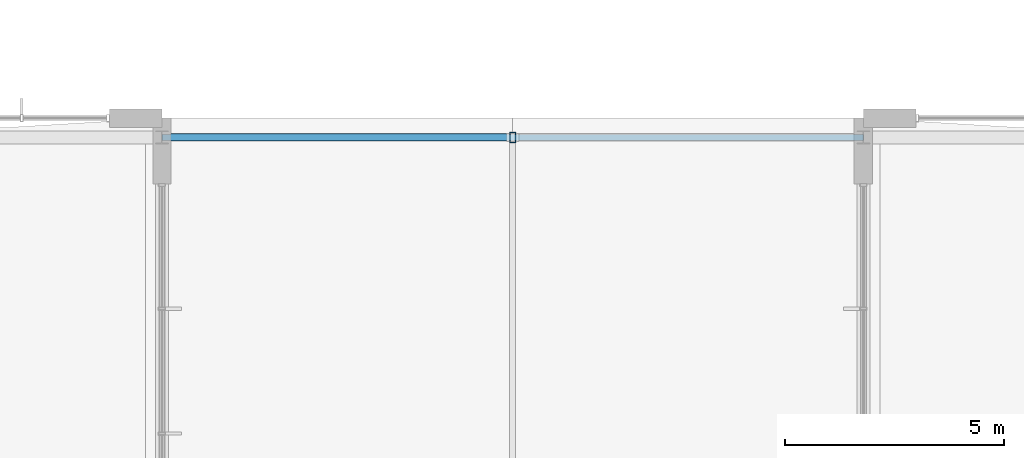
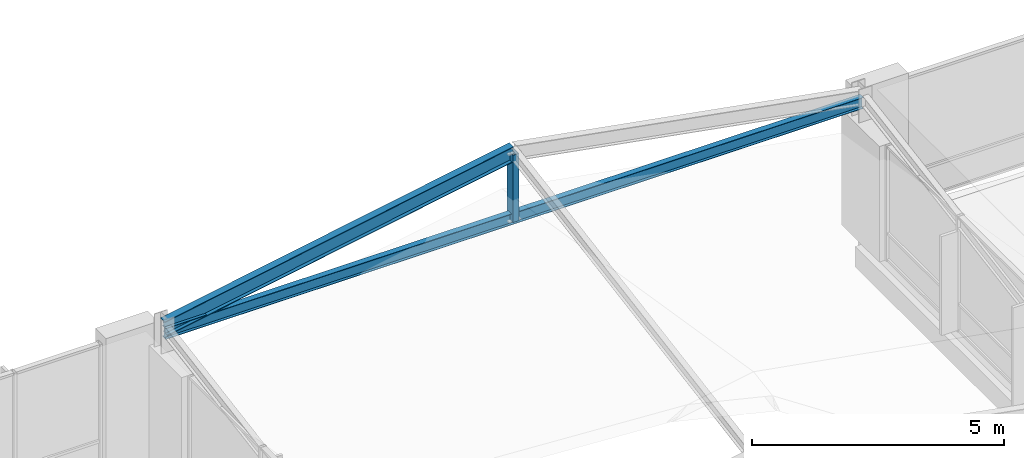
# One storey, part 99 of 189: 2 members, 1 beam.
"""IFC4 building model written with IfcOpenShell, lengths in metres."""

from ifc_helpers import new_model, si_unit, direction, frame, origin, origin_2d, place, context, subcontext, project, spatial, hollow_rectangle, i_section, extrude, material, material_profile, profile_set, type_object, element, save


model = new_model("IFC4")

# Units and contexts
model_context = context("Model", 3, precision=1e-05, world=origin(), true_north=direction((0.0, 1.0)))
body_context = subcontext(model_context, "Body", "Model", "MODEL_VIEW")
ifc_project = project(units=[si_unit("LENGTHUNIT", "METRE"), si_unit("AREAUNIT", "SQUARE_METRE"), si_unit("VOLUMEUNIT", "CUBIC_METRE"), si_unit("PLANEANGLEUNIT", "RADIAN"), si_unit("MASSUNIT", "GRAM", prefix="KILO")], contexts=[model_context])

# Site, building, storey
site_placement = place(None, origin())
site = spatial("IfcSite", under=ifc_project, at=site_placement, CompositionType="ELEMENT")
building_placement = place(site_placement, origin())
building = spatial("IfcBuilding", under=site, at=building_placement, Name="Zavelmont Quarter", CompositionType="ELEMENT")
storey_placement = place(building_placement, frame((0.0, 0.0, 4.39990234375)))
storey = spatial("IfcBuildingStorey", under=building, at=storey_placement, Name="L01", CompositionType="ELEMENT", Elevation=4.39990234375)

# Beam
ifc_material = material(Name="Steel S355", Category="steel")
ifc_material_profile_1 = material_profile(ifc_material, i_section(OverallWidth=0.135009765625, OverallDepth=0.27001953125, WebThickness=0.006591796875, FlangeThickness=0.01025390625, at=origin_2d()), Name="IPE 270")
ifc_profile_set_1 = profile_set([ifc_material_profile_1], Name="Steel S355")
beam_type = type_object("IfcBeamType", Name="BM14", PredefinedType="JOIST", material=ifc_profile_set_1)
beam_placement = place(storey_placement, frame((76.0, 115.56005859375, 3.18505859375), z_axis=(1.0, 0.0, 0.0), x_axis=(0.0, 1.0, 0.0)))
element("IfcBeam", 1, at=beam_placement, inside=storey, type_object=beam_type, Name="L01 beam BM14 12/S to 14/S", PredefinedType="JOIST", context=body_context, shape_type="SweptSolid", body=[
    extrude(i_section(OverallWidth=0.135009765625, OverallDepth=0.27001953125, WebThickness=0.006591796875, FlangeThickness=0.01025390625, at=origin_2d()), origin(), (0.0, 0.0, 1.0), 16.0),
])

# Members
ifc_material_profile_2 = material_profile(ifc_material, hollow_rectangle(XDim=0.139892578125, YDim=0.239990234375, WallThickness=0.010009765625, at=origin_2d()), Name="RHS 240X140X10")
ifc_profile_set_2 = profile_set([ifc_material_profile_2], Name="Steel S355")
member_type_1 = type_object("IfcMemberType", Name="CLM1", PredefinedType="CHORD", material=ifc_profile_set_2)
member_1_placement = place(storey_placement, frame((84.0, 115.56005859375, 3.14013671875), z_axis=(0.0, 0.0, 1.0), x_axis=(1.0, 0.0, 0.0)))
element("IfcMember", 2, at=member_1_placement, inside=storey, type_object=member_type_1, Name="L01 member CLM1 13/S to 13/S", PredefinedType="CHORD", context=body_context, shape_type="SweptSolid", body=[
    extrude(hollow_rectangle(XDim=0.139892578125, YDim=0.239990234375, WallThickness=0.010009765625, at=origin_2d()), origin(), (0.0, 0.0, 1.0), 1.6298828125),
])
ifc_material_profile_3 = material_profile(ifc_material, i_section(OverallWidth=0.169921875, OverallDepth=0.360107421875, WebThickness=0.008056640625, FlangeThickness=0.0126953125, at=origin_2d()), Name="IPE 360")
ifc_profile_set_3 = profile_set([ifc_material_profile_3], Name="Steel S355")
member_type_2 = type_object("IfcMemberType", Name="RFM2", PredefinedType="RAFTER", material=ifc_profile_set_3)
member_2_placement = place(storey_placement, frame((76.0, 115.56005859375, 3.320068359375), z_axis=(0.983969211964, 0.0, 0.178338413997), x_axis=(0.0, 1.0, 0.0)))
element("IfcMember", 3, at=member_2_placement, inside=storey, type_object=member_type_2, Name="L01 member RFM2 12/S to 13/S", PredefinedType="RAFTER", context=body_context, shape_type="SweptSolid", body=[
    extrude(i_section(OverallWidth=0.169921875, OverallDepth=0.360107421875, WebThickness=0.008056640625, FlangeThickness=0.0126953125, at=origin_2d()), origin(), (0.0, 0.0, 1.0), 8.13037109375),
])

save(model, "model.ifc")
